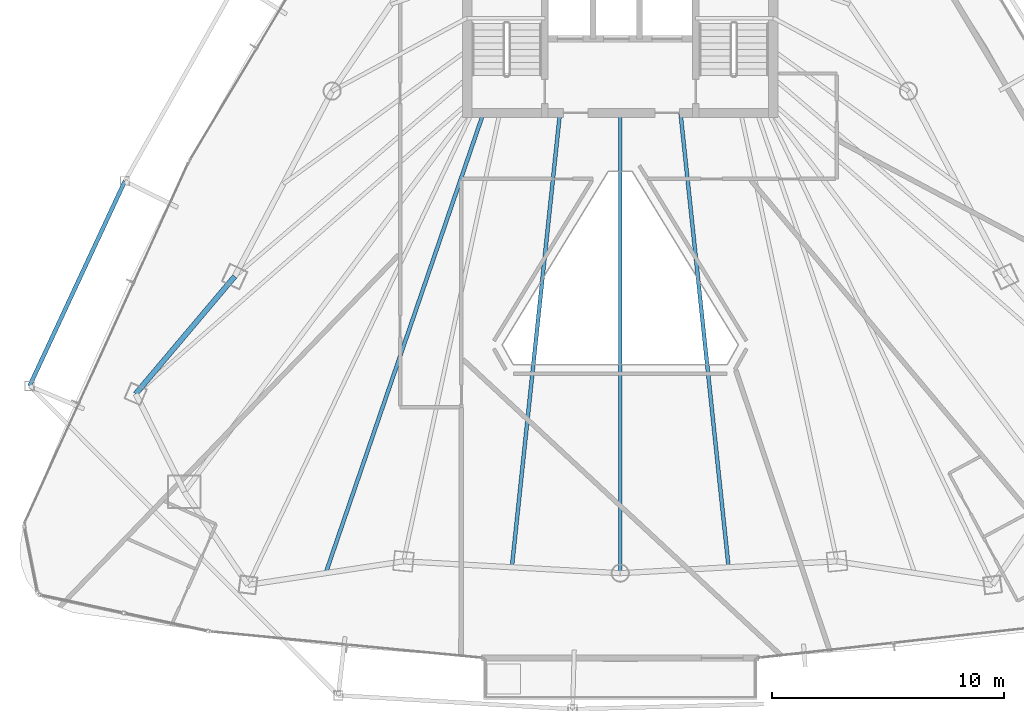
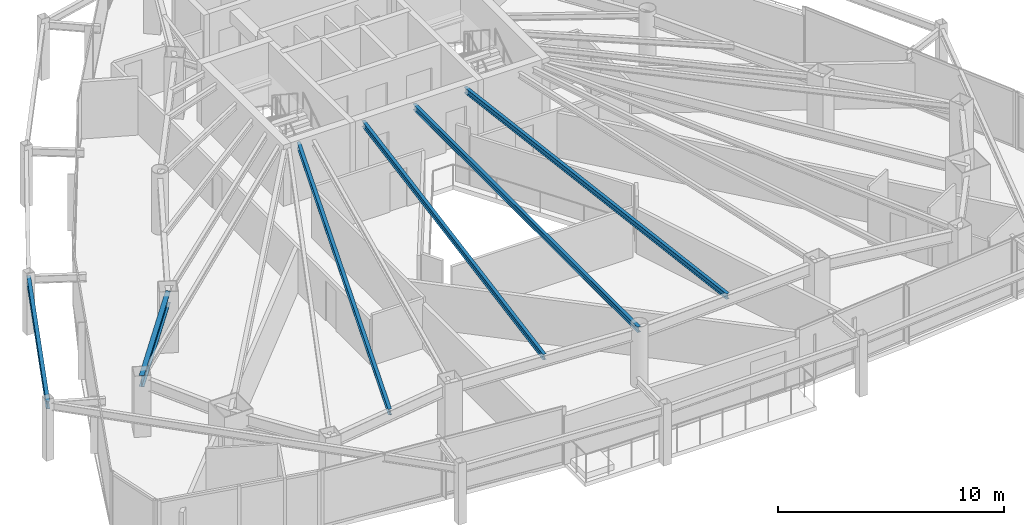
# One storey, part 8 of 31: 6 beams.
"""IFC4 building model written with IfcOpenShell, lengths in metres."""

import ifcopenshell
import ifcopenshell.guid

model = None  # the IFC model being written
_history = None  # IfcOwnerHistory: only IFC2X3 demands one
_inside = {}  # id of a spatial element -> (the spatial element, [elements in it])
_under = {}  # id of a project, library or spatial element -> (it, [spatial elements below it])
_declared = {}  # id of a project -> (the project, [libraries it declares])
_typed = {}  # id of a type object -> (the type object, [elements of that type])
_made_of = {}  # id of a material, layer set ... -> (it, [elements and type objects made of it])


def new_model(schema):
    """Start an empty IFC model of exactly this schema.

    Asked for "IFC4X3", IfcOpenShell would pick the latest addendum, in which some entities
    have other attributes; the version numbers below select the first issue.
    IFC2X3 requires an IfcOwnerHistory on every rooted entity: one is made here for all.
    """
    global model, _history
    if schema == "IFC4X3":
        model = ifcopenshell.file(schema_version=(4, 3, 0, 0))
    else:
        model = ifcopenshell.file(schema=schema)
    _inside.clear()
    _under.clear()
    _declared.clear()
    _typed.clear()
    _made_of.clear()
    _history = None
    if model.schema == "IFC2X3":
        org = make("IfcOrganization", Name="unknown")
        user = make(
            "IfcPersonAndOrganization",
            ThePerson=make("IfcPerson", FamilyName="unknown"),
            TheOrganization=org,
        )
        app = make(
            "IfcApplication",
            ApplicationDeveloper=org,
            Version="unknown",
            ApplicationFullName="unknown",
            ApplicationIdentifier="unknown",
        )
        _history = make(
            "IfcOwnerHistory",
            OwningUser=user,
            OwningApplication=app,
            ChangeAction="ADDED",
            CreationDate=0,
        )
    return model


def make(cls, **values):
    """One entity of the class cls with the attributes given. An attribute that is None is left unset."""
    return model.create_entity(
        cls, **{name: value for name, value in values.items() if value is not None}
    )


def rooted(cls, **values):
    """An entity with a GlobalId (a new one), such as an element, a storey or a relation."""
    return make(cls, GlobalId=ifcopenshell.guid.new(), OwnerHistory=_history, **values)


def si_unit(unit_type, name, prefix=None):
    """IfcSIUnit, for example si_unit("LENGTHUNIT", "METRE", prefix="MILLI")."""
    return make("IfcSIUnit", UnitType=unit_type, Prefix=prefix, Name=name)


def assignment(units):
    """IfcUnitAssignment: the units of a project."""
    return None if units is None else make("IfcUnitAssignment", Units=units)


def point(xyz):
    """IfcCartesianPoint."""
    return None if xyz is None else make("IfcCartesianPoint", Coordinates=xyz)


def direction(xyz):
    """IfcDirection."""
    return None if xyz is None else make("IfcDirection", DirectionRatios=xyz)


def frame(location, z_axis=None, x_axis=None):
    """IfcAxis2Placement3D, a coordinate frame: its origin and axes. An axis left out is left unset."""
    return make(
        "IfcAxis2Placement3D",
        Location=point(location),
        Axis=direction(z_axis),
        RefDirection=direction(x_axis),
    )


def frame_2d(location, x_axis=None):
    """IfcAxis2Placement2D, a coordinate frame in the plane: its origin and x axis."""
    return make(
        "IfcAxis2Placement2D", Location=point(location), RefDirection=direction(x_axis)
    )


def origin():
    """The frame at (0, 0, 0) with its axes left unset."""
    return frame((0.0, 0.0, 0.0))


def origin_2d():
    """The frame at (0, 0) in the plane with its x axis left unset."""
    return frame_2d((0.0, 0.0))


def place(relative_to, where):
    """IfcLocalPlacement: puts the frame where relative to a parent placement (None: the world)."""
    return make(
        "IfcLocalPlacement", PlacementRelTo=relative_to, RelativePlacement=where
    )


def context(
    kind, dimensions, precision=None, world=None, true_north=None, identifier=None
):
    """IfcGeometricRepresentationContext, for example the 3D "Model" context."""
    return make(
        "IfcGeometricRepresentationContext",
        ContextIdentifier=identifier,
        ContextType=kind,
        CoordinateSpaceDimension=dimensions,
        Precision=precision,
        WorldCoordinateSystem=world,
        TrueNorth=true_north,
    )


def subcontext(parent, identifier, kind, view, scale=None):
    """IfcGeometricRepresentationSubContext, for example "Body" below "Model"."""
    return make(
        "IfcGeometricRepresentationSubContext",
        ContextIdentifier=identifier,
        ContextType=kind,
        ParentContext=parent,
        TargetScale=scale,
        TargetView=view,
    )


def project(units=None, contexts=None):
    """IfcProject with its units and contexts."""
    return rooted(
        "IfcProject",
        Name="project",
        RepresentationContexts=contexts,
        UnitsInContext=assignment(units),
    )


def spatial(cls, under=None, at=None, **own):
    """A site, building, storey or space (cls), placed at a placement, below another one or the project."""
    s = rooted(cls, ObjectPlacement=at, **own)
    if under is not None:
        _under.setdefault(under.id(), (under, []))[1].append(s)
    return s


def profile(cls, at=None, kind="AREA", **sizes):
    """A parametric profile (cls). Its sizes go by their IFC names, for example OverallWidth=200.0."""
    return make(cls, ProfileType=kind, Position=at, **sizes)


def i_section(**sizes):
    """IfcIShapeProfileDef."""
    return profile("IfcIShapeProfileDef", **sizes)


def extrude(swept, where, along, depth):
    """IfcExtrudedAreaSolid: the profile swept, set in the frame where, extruded along a direction by depth."""
    return make(
        "IfcExtrudedAreaSolid",
        SweptArea=swept,
        Position=where,
        ExtrudedDirection=direction(along),
        Depth=depth,
    )


def shape(context_of_items, identifier, shape_type, items):
    """IfcShapeRepresentation: the items that make up one representation, for example the "Body"."""
    return make(
        "IfcShapeRepresentation",
        ContextOfItems=context_of_items,
        RepresentationIdentifier=identifier,
        RepresentationType=shape_type,
        Items=items,
    )


def material(Name=None, Category=None):
    """IfcMaterial."""
    return make("IfcMaterial", Name=Name, Category=Category)


def material_profile(
    of_material, cross_section, Name=None, Category=None, Priority=None
):
    """IfcMaterialProfile: a cross section and its material."""
    return make(
        "IfcMaterialProfile",
        Name=Name,
        Material=of_material,
        Profile=cross_section,
        Priority=Priority,
        Category=Category,
    )


def profile_set(profiles, Name=None, composite=None):
    """IfcMaterialProfileSet."""
    return make(
        "IfcMaterialProfileSet",
        Name=Name,
        MaterialProfiles=profiles,
        CompositeProfile=composite,
    )


def made_of(thing, what):
    """Note that an element or type object is made of a material, layer set ...; save() writes the relation."""
    if what is not None:
        _made_of.setdefault(what.id(), (what, []))[1].append(thing)
    return thing


def type_object(cls, material=None, **own):
    """A type object (cls), such as IfcWallType, which elements share."""
    return made_of(rooted(cls, **own), material)


def element(
    cls,
    number,
    at=None,
    inside=None,
    cuts=None,
    type_object=None,
    material=None,
    context=None,
    identifier="Body",
    shape_type=None,
    held_by="IfcProductDefinitionShape",
    body=None,
    shapes=None,
    **own,
):
    """One element of the class cls, such as IfcWall. Its Tag is "e" and its number.

    at: its placement. inside: the storey or other place that contains it. cuts: it is an
    opening in that element (IfcRelVoidsElement). A single representation is given by context,
    identifier, shape_type and body (its items); several are given by shapes. held_by: the class
    of the entity that holds the representations. save() writes the other relations.
    """
    e = rooted(cls, Tag="e%d" % number, ObjectPlacement=at, **own)
    if body is not None:
        shapes = [shape(context, identifier, shape_type, body)]
    if shapes is not None:
        e.Representation = make(held_by, Representations=shapes)
    if inside is not None:
        _inside.setdefault(inside.id(), (inside, []))[1].append(e)
    if cuts is not None:
        rooted(
            "IfcRelVoidsElement", RelatingBuildingElement=cuts, RelatedOpeningElement=e
        )
    if type_object is not None:
        _typed.setdefault(type_object.id(), (type_object, []))[1].append(e)
    return made_of(e, material)


def aggregate(whole, parts):
    """IfcRelAggregates: a whole, such as a stair, and the parts it consists of."""
    return rooted("IfcRelAggregates", RelatingObject=whole, RelatedObjects=parts)


def save(model, path):
    """Write the relations noted so far, then the file.

    IfcRelAggregates (storeys below a building ...), IfcRelContainedInSpatialStructure (elements
    in a storey), IfcRelDefinesByType, IfcRelAssociatesMaterial and IfcRelDeclares: one each for
    every whole, place, type object, material and project.
    """
    for whole, parts in _under.values():
        aggregate(whole, parts)
    for where, things in _inside.values():
        rooted(
            "IfcRelContainedInSpatialStructure",
            RelatedElements=things,
            RelatingStructure=where,
        )
    for kind, things in _typed.values():
        rooted("IfcRelDefinesByType", RelatedObjects=things, RelatingType=kind)
    for what, things in _made_of.values():
        rooted("IfcRelAssociatesMaterial", RelatedObjects=things, RelatingMaterial=what)
    for by, libraries in _declared.values():
        rooted("IfcRelDeclares", RelatingContext=by, RelatedDefinitions=libraries)
    model.write(path)


model = new_model("IFC4")

# Units and contexts
model_context = context("Model", 3, precision=1e-05, world=origin(), true_north=direction((0.0, 1.0)))
body_context = subcontext(model_context, "Body", "Model", "MODEL_VIEW")
ifc_project = project(units=[si_unit("LENGTHUNIT", "METRE"), si_unit("AREAUNIT", "SQUARE_METRE"), si_unit("VOLUMEUNIT", "CUBIC_METRE"), si_unit("PLANEANGLEUNIT", "RADIAN"), si_unit("MASSUNIT", "GRAM", prefix="KILO")], contexts=[model_context])

# Site, building, storey
site_placement = place(None, origin())
site = spatial("IfcSite", under=ifc_project, at=site_placement, CompositionType="ELEMENT")
building_placement = place(site_placement, origin())
building = spatial("IfcBuilding", under=site, at=building_placement, Name="Orvanel Arch Residences", CompositionType="ELEMENT")
storey_placement = place(building_placement, frame((0.0, 0.0, 129.800048828125)))
storey = spatial("IfcBuildingStorey", under=building, at=storey_placement, Name="L36", CompositionType="ELEMENT", Elevation=129.800048828125)

# Beams
ifc_material = material(Name="Structural steel AS/NZS 3679.1 Grade 300 (300 MPa)", Category="steel")
ifc_material_profile_1 = material_profile(ifc_material, i_section(OverallWidth=0.1650390625, OverallDepth=0.303955078125, WebThickness=0.006103515625, FlangeThickness=0.01025390625, at=origin_2d()), Name="310UB40.4")
ifc_profile_set_1 = profile_set([ifc_material_profile_1], Name="Structural steel AS/NZS 3679.1 Grade 300 (300 MPa)")
beam_type_1 = type_object("IfcBeamType", Name="BJ-310UB", PredefinedType="JOIST", material=ifc_profile_set_1)
beam_1_placement = place(storey_placement, frame((33.0, 26.699951171875, 2.907958984375), z_axis=(0.0, -1.0, 0.0), x_axis=(1.0, 0.0, 0.0)))
element("IfcBeam", 1, at=beam_1_placement, inside=storey, type_object=beam_type_1, Name="L36 SSW Wing Floor Joist", PredefinedType="JOIST", context=body_context, shape_type="SweptSolid", body=[
    extrude(i_section(OverallWidth=0.1650390625, OverallDepth=0.303955078125, WebThickness=0.006103515625, FlangeThickness=0.01025390625, at=origin_2d()), origin(), (0.0, 0.0, 1.0), 19.85595703125),
])
for number, where, z_axis, x_axis, name in (
    (2, (30.39990234375, 26.699951171875, 2.907958984375), (-0.105277340935, -0.994442900063, 0.0), (0.994442900063, -0.105277340935, 0.0), "L36 WSW2 Wing Floor Joist"),
    (3, (35.60009765625, 26.699951171875, 2.907958984375), (0.105277340935, -0.994442900063, 0.0), (0.994442900063, 0.105277340935, 0.0), "L36 ESE2 Wing Floor Joist"),
):
    element("IfcBeam", number, at=place(storey_placement, frame(where, z_axis=z_axis, x_axis=x_axis)), inside=storey, type_object=beam_type_1, Name=name, PredefinedType="JOIST", context=body_context, shape_type="SweptSolid", body=[
        extrude(i_section(OverallWidth=0.1650390625, OverallDepth=0.303955078125, WebThickness=0.006103515625, FlangeThickness=0.01025390625, at=origin_2d()), origin(), (0.0, 0.0, 1.0), 19.70947265625),
    ])
beam_2_placement = place(storey_placement, frame((27.10009765625, 26.699951171875, 2.907958984375), z_axis=(-0.324257108963, -0.945968988544, 0.0), x_axis=(0.945968988544, -0.324257108963, 0.0)))
element("IfcBeam", 4, at=beam_2_placement, inside=storey, type_object=beam_type_1, Name="L36 JADD1 Wing Floor Joist", PredefinedType="JOIST", context=body_context, shape_type="SweptSolid", body=[
    extrude(i_section(OverallWidth=0.1650390625, OverallDepth=0.303955078125, WebThickness=0.006103515625, FlangeThickness=0.01025390625, at=origin_2d()), origin(), (0.0, 0.0, 1.0), 20.987060546875),
])
ifc_material_profile_2 = material_profile(ifc_material, i_section(OverallWidth=0.177978515625, OverallDepth=0.406005859375, WebThickness=0.0078125, FlangeThickness=0.0126953125, at=origin_2d()), Name="410UB59.7")
ifc_profile_set_2 = profile_set([ifc_material_profile_2], Name="Structural steel AS/NZS 3679.1 Grade 300 (300 MPa)")
beam_type_2 = type_object("IfcBeamType", Name="OB-410UB-EXT", PredefinedType="SPANDREL", material=ifc_profile_set_2)
beam_3_placement = place(storey_placement, frame((11.6279296875, 23.751953125, 2.85693359375), z_axis=(-0.421938673607, -0.906624374101, 0.0), x_axis=(0.906624374101, -0.421938673607, 0.0)))
element("IfcBeam", 5, at=beam_3_placement, inside=storey, type_object=beam_type_2, Name="L36 Outer Perimeter Floor Ring Beam 03", PredefinedType="SPANDREL", context=body_context, shape_type="SweptSolid", body=[
    extrude(i_section(OverallWidth=0.177978515625, OverallDepth=0.406005859375, WebThickness=0.0078125, FlangeThickness=0.0126953125, at=origin_2d()), origin(), (0.0, 0.0, 1.0), 9.74267578125),
])
ifc_material_profile_3 = material_profile(ifc_material, i_section(OverallWidth=0.22900390625, OverallDepth=0.612060546875, WebThickness=0.011962890625, FlangeThickness=0.01953125, at=origin_2d()), Name="610UB125")
ifc_profile_set_3 = profile_set([ifc_material_profile_3], Name="Structural steel AS/NZS 3679.1 Grade 300 (300 MPa)")
beam_type_3 = type_object("IfcBeamType", Name="SP-610UB", PredefinedType="SPANDREL", material=ifc_profile_set_3)
beam_4_placement = place(storey_placement, frame((16.366943359375, 19.64208984375, 2.75390625), z_axis=(-0.644950329775, -0.764224490659, 0.0), x_axis=(0.764224490659, -0.644950329775, 0.0)))
element("IfcBeam", 6, at=beam_4_placement, inside=storey, type_object=beam_type_3, Name="L36 Perimeter Spandrel Beam 01", PredefinedType="SPANDREL", context=body_context, shape_type="SweptSolid", body=[
    extrude(i_section(OverallWidth=0.22900390625, OverallDepth=0.612060546875, WebThickness=0.011962890625, FlangeThickness=0.01953125, at=origin_2d()), origin(), (0.0, 0.0, 1.0), 6.623779296875),
])

save(model, "model.ifc")
